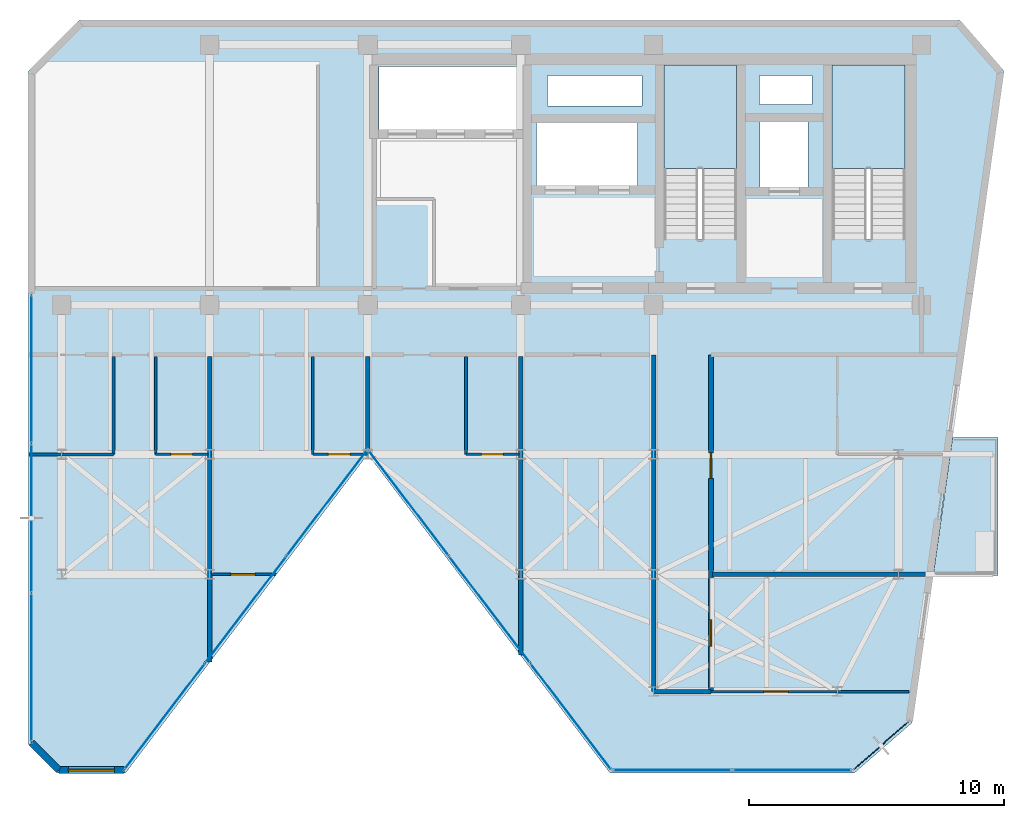
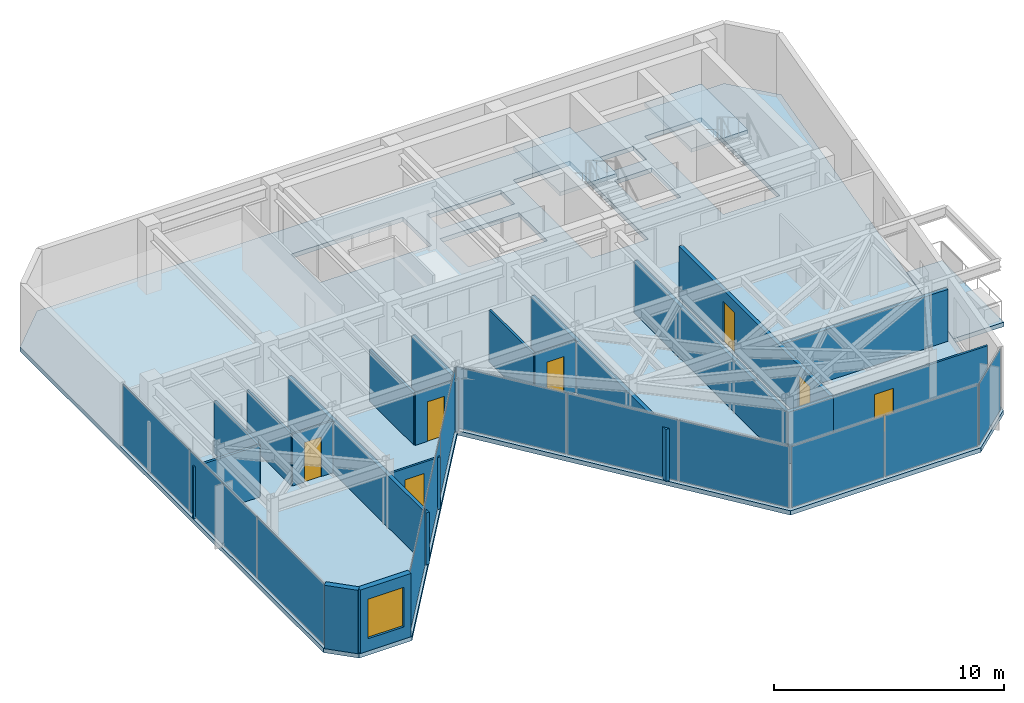
# One storey, part 13 of 17: 19 walls, 12 plates, 7 doors, 4 slabs, 1 window, 8 openings, 7 elements without a shape of their own.
"""IFC4 building model written with IfcOpenShell, lengths in metres."""

from ifc_helpers import new_model, si_unit, direction, frame, frame_2d, origin, origin_2d, place, context, subcontext, project, spatial, polyline, rectangle, outline, extrude, material, layer, layer_set, type_object, element, fill, aggregate, save


model = new_model("IFC4")

# Units and contexts
model_context = context("Model", 3, precision=1e-05, world=origin(), true_north=direction((0.0, 1.0)))
body_context = subcontext(model_context, "Body", "Model", "MODEL_VIEW")
ifc_project = project(units=[si_unit("LENGTHUNIT", "METRE"), si_unit("AREAUNIT", "SQUARE_METRE"), si_unit("VOLUMEUNIT", "CUBIC_METRE"), si_unit("PLANEANGLEUNIT", "RADIAN"), si_unit("MASSUNIT", "GRAM", prefix="KILO")], contexts=[model_context])

# Site, building, storey
site_placement = place(None, origin())
site = spatial("IfcSite", under=ifc_project, at=site_placement, CompositionType="ELEMENT")
building_placement = place(site_placement, origin())
building = spatial("IfcBuilding", under=site, at=building_placement, Name="Kravanh Interchange Tower", CompositionType="ELEMENT")
storey_placement = place(building_placement, frame((0.0, 0.0, 282.300048828125)))
storey = spatial("IfcBuildingStorey", under=building, at=storey_placement, Name="L69", CompositionType="ELEMENT", Elevation=282.300048828125)

# Curtain wall, plates
ifc_material_1 = material(Name="Anodised Bronze Aluminium", Category="aluminium")
ifc_layer_1 = layer(ifc_material_1, 0.179931640625)
ifc_layer_set_1 = layer_set([ifc_layer_1], Name="Unitised Curtain Wall System CW-HTL Luxury Hotel")
curtain_wall_type = type_object("IfcCurtainWallType", Name="Unitised Curtain Wall System CW-HTL Luxury Hotel", PredefinedType="NOTDEFINED", material=ifc_layer_set_1)
curtain_wall_1_placement = place(storey_placement, origin())
curtain_wall_1 = element("IfcCurtainWall", 1, at=curtain_wall_1_placement, inside=storey, type_object=curtain_wall_type, Name="L69 Unitised Curtain Wall CW-L69-01", PredefinedType="NOTDEFINED")
ifc_material_2 = material(Name="Low-E Laminated Architectural Glass", Category="glass")
ifc_layer_2 = layer(ifc_material_2, 0.030029296875)
ifc_layer_set_2 = layer_set([ifc_layer_2], Name="Acoustic Laminated Glazing 30mm")
plate_type = type_object("IfcPlateType", Name="Acoustic Laminated Glazing 30mm", PredefinedType="CURTAIN_PANEL", material=ifc_layer_set_2)
plate_1_placement = place(storey_placement, frame((31.6201171875, 23.1396484375, 0.059814453125), z_axis=(0.0, 0.0, 1.0), x_axis=(0.0, 1.0, 0.0)))
plate_1 = element("IfcPlate", 2, at=plate_1_placement, type_object=plate_type, Name="CW-HTL panel 1.1", PredefinedType="CURTAIN_PANEL", context=body_context, shape_type="SweptSolid", body=[
    extrude(rectangle(XDim=5.780029296875, YDim=0.030029296875, at=origin_2d()), origin(), (0.0, 0.0, 1.0), 3.2451171875),
])
plate_2_placement = place(storey_placement, frame((31.6201171875, 28.994873046875, 0.059814453125), z_axis=(0.0, 0.0, 1.0), x_axis=(0.0, 1.0, 0.0)))
plate_2 = element("IfcPlate", 3, at=plate_2_placement, type_object=plate_type, Name="CW-HTL panel 2.1", PredefinedType="CURTAIN_PANEL", context=body_context, shape_type="SweptSolid", body=[
    extrude(rectangle(XDim=5.81005859375, YDim=0.030029296875, at=origin_2d()), origin(), (0.0, 0.0, 1.0), 3.2451171875),
])
plate_3_placement = place(storey_placement, frame((31.6201171875, 34.849853515625, 0.059814453125), z_axis=(0.0, 0.0, 1.0), x_axis=(0.0, 1.0, 0.0)))
plate_3 = element("IfcPlate", 4, at=plate_3_placement, type_object=plate_type, Name="CW-HTL panel 3.1", PredefinedType="CURTAIN_PANEL", context=body_context, shape_type="SweptSolid", body=[
    extrude(rectangle(XDim=5.780029296875, YDim=0.030029296875, at=origin_2d()), origin(), (0.0, 0.0, 1.0), 3.2451171875),
])
aggregate(curtain_wall_1, [plate_1, plate_2, plate_3])

# Curtain wall, plate
curtain_wall_2_placement = place(storey_placement, origin())
curtain_wall_2 = element("IfcCurtainWall", 5, at=curtain_wall_2_placement, inside=storey, type_object=curtain_wall_type, Name="L69 Unitised Curtain Wall CW-L69-02", PredefinedType="NOTDEFINED")
plate_4_placement = place(storey_placement, frame((64.91455078125, 20.080810546875, 0.059814453125), z_axis=(0.0, 0.0, 1.0), x_axis=(-0.75473192521, -0.656033323139, 0.0)))
plate_4 = element("IfcPlate", 6, at=plate_4_placement, type_object=plate_type, Name="CW-HTL panel 1.1", PredefinedType="CURTAIN_PANEL", context=body_context, shape_type="SweptSolid", body=[
    extrude(rectangle(XDim=2.80908203125, YDim=0.030029296875, at=origin_2d()), origin(), (0.0, 0.0, 1.0), 3.2451171875),
])
aggregate(curtain_wall_2, [plate_4])

# Curtain wall, plates
curtain_wall_3_placement = place(storey_placement, origin())
curtain_wall_3 = element("IfcCurtainWall", 7, at=curtain_wall_3_placement, inside=storey, type_object=curtain_wall_type, Name="L69 Unitised Curtain Wall CW-L69-03", PredefinedType="NOTDEFINED")
plate_5_placement = place(storey_placement, frame((61.431640625, 19.1201171875, 0.059814453125), z_axis=(0.0, 0.0, 1.0), x_axis=(-1.0, 0.0, 0.0)))
plate_5 = element("IfcPlate", 8, at=plate_5_placement, type_object=plate_type, Name="CW-HTL panel 1.1", PredefinedType="CURTAIN_PANEL", context=body_context, shape_type="SweptSolid", body=[
    extrude(rectangle(XDim=4.634765625, YDim=0.030029296875, at=origin_2d()), origin(), (0.0, 0.0, 1.0), 3.2451171875),
])
plate_6_placement = place(storey_placement, frame((56.73681640625, 19.1201171875, 0.059814453125), z_axis=(0.0, 0.0, 1.0), x_axis=(-1.0, 0.0, 0.0)))
plate_6 = element("IfcPlate", 9, at=plate_6_placement, type_object=plate_type, Name="CW-HTL panel 2.1", PredefinedType="CURTAIN_PANEL", context=body_context, shape_type="SweptSolid", body=[
    extrude(rectangle(XDim=4.634765625, YDim=0.030029296875, at=origin_2d()), origin(), (0.0, 0.0, 1.0), 3.2451171875),
])
aggregate(curtain_wall_3, [plate_5, plate_6])

curtain_wall_4_placement = place(storey_placement, origin())
curtain_wall_4 = element("IfcCurtainWall", 10, at=curtain_wall_4_placement, inside=storey, type_object=curtain_wall_type, Name="L69 Unitised Curtain Wall CW-L69-04", PredefinedType="NOTDEFINED")
plate_7_placement = place(storey_placement, frame((52.757080078125, 21.228271484375, 0.059814453125), z_axis=(0.0, 0.0, 1.0), x_axis=(-0.605082946564, 0.79616243806, 0.0)))
plate_7 = element("IfcPlate", 11, at=plate_7_placement, type_object=plate_type, Name="CW-HTL panel 1.1", PredefinedType="CURTAIN_PANEL", context=body_context, shape_type="SweptSolid", body=[
    extrude(rectangle(XDim=5.17626953125, YDim=0.030029296875, at=origin_2d()), origin(), (0.0, 0.0, 1.0), 3.2451171875),
])
plate_8_placement = place(storey_placement, frame((49.579833984375, 25.4091796875, 0.059814453125), z_axis=(0.0, 0.0, 1.0), x_axis=(-0.605082946564, 0.79616243806, 0.0)))
plate_8 = element("IfcPlate", 12, at=plate_8_placement, type_object=plate_type, Name="CW-HTL panel 2.1", PredefinedType="CURTAIN_PANEL", context=body_context, shape_type="SweptSolid", body=[
    extrude(rectangle(XDim=5.206298828125, YDim=0.030029296875, at=origin_2d()), origin(), (0.0, 0.0, 1.0), 3.2451171875),
])
plate_9_placement = place(storey_placement, frame((46.40234375, 29.590087890625, 0.059814453125), z_axis=(0.0, 0.0, 1.0), x_axis=(-0.605082946564, 0.79616243806, 0.0)))
plate_9 = element("IfcPlate", 13, at=plate_9_placement, type_object=plate_type, Name="CW-HTL panel 3.1", PredefinedType="CURTAIN_PANEL", context=body_context, shape_type="SweptSolid", body=[
    extrude(rectangle(XDim=5.17626953125, YDim=0.030029296875, at=origin_2d()), origin(), (0.0, 0.0, 1.0), 3.2451171875),
])
aggregate(curtain_wall_4, [plate_7, plate_8, plate_9])

curtain_wall_5_placement = place(storey_placement, origin())
curtain_wall_5 = element("IfcCurtainWall", 14, at=curtain_wall_5_placement, inside=storey, type_object=curtain_wall_type, Name="L69 Unitised Curtain Wall CW-L69-05", PredefinedType="NOTDEFINED")
plate_10_placement = place(storey_placement, frame((43.19775390625, 29.590087890625, 0.059814453125), z_axis=(0.0, 0.0, 1.0), x_axis=(-0.605082946564, -0.79616243806, 0.0)))
plate_10 = element("IfcPlate", 15, at=plate_10_placement, type_object=plate_type, Name="CW-HTL panel 1.1", PredefinedType="CURTAIN_PANEL", context=body_context, shape_type="SweptSolid", body=[
    extrude(rectangle(XDim=5.17626953125, YDim=0.030029296875, at=origin_2d()), origin(), (0.0, 0.0, 1.0), 3.2451171875),
])
plate_11_placement = place(storey_placement, frame((40.020263671875, 25.4091796875, 0.059814453125), z_axis=(0.0, 0.0, 1.0), x_axis=(-0.605082946564, -0.79616243806, 0.0)))
plate_11 = element("IfcPlate", 16, at=plate_11_placement, type_object=plate_type, Name="CW-HTL panel 2.1", PredefinedType="CURTAIN_PANEL", context=body_context, shape_type="SweptSolid", body=[
    extrude(rectangle(XDim=5.206298828125, YDim=0.030029296875, at=origin_2d()), origin(), (0.0, 0.0, 1.0), 3.2451171875),
])
plate_12_placement = place(storey_placement, frame((36.8427734375, 21.228271484375, 0.059814453125), z_axis=(0.0, 0.0, 1.0), x_axis=(-0.605082946564, -0.79616243806, 0.0)))
plate_12 = element("IfcPlate", 17, at=plate_12_placement, type_object=plate_type, Name="CW-HTL panel 3.1", PredefinedType="CURTAIN_PANEL", context=body_context, shape_type="SweptSolid", body=[
    extrude(rectangle(XDim=5.17626953125, YDim=0.030029296875, at=origin_2d()), origin(), (0.0, 0.0, 1.0), 3.2451171875),
])
aggregate(curtain_wall_5, [plate_10, plate_11, plate_12])

# Slab
ifc_material_3 = material(Name="Concrete C50/60", Category="concrete")
ifc_layer_3 = layer(ifc_material_3, 0.235107421875)
ifc_layer_set_3 = layer_set([ifc_layer_3], Name="Composite Floor Slab Concrete C50/60 235mm")
slab_type_1 = type_object("IfcSlabType", Name="Composite Floor Slab Concrete C50/60 235mm", PredefinedType="FLOOR", material=ifc_layer_set_3)
slab_1_placement = place(storey_placement, frame((0.0, 0.0, -0.235107421875)))
element("IfcSlab", 18, at=slab_1_placement, inside=storey, type_object=slab_type_1, Name="L69 Structural Floor Slab", PredefinedType="FLOOR", context=body_context, shape_type="SweptSolid", body=[
    extrude(outline(polyline([(31.5, 20.139892578125), (32.639892578125, 19.0), (35.300048828125, 19.0), (44.800048828125, 31.5), (54.300048828125, 19.0), (63.85400390625, 19.0), (66.13232421875, 20.98046875), (69.7216796875, 46.51953125), (68.0, 48.5), (33.5, 48.5), (31.5, 46.5), (31.5, 20.139892578125)]), holes=[polyline([(65.85009765625, 39.925048828125), (65.85009765625, 46.75), (63.0, 46.75), (63.0, 39.925048828125), (65.85009765625, 39.925048828125)]), polyline([(59.25, 39.925048828125), (59.25, 46.75), (56.39990234375, 46.75), (56.39990234375, 39.925048828125), (59.25, 39.925048828125)]), polyline([(45.239990234375, 44.219970703125), (50.840087890625, 44.219970703125), (50.840087890625, 46.699951171875), (45.239990234375, 46.699951171875), (45.239990234375, 44.219970703125)]), polyline([(51.419921875, 42.02001953125), (55.3798828125, 42.02001953125), (55.3798828125, 44.47998046875), (51.419921875, 44.47998046875), (51.419921875, 42.02001953125)]), polyline([(60.179931640625, 41.97998046875), (62.06005859375, 41.97998046875), (62.06005859375, 44.52001953125), (60.179931640625, 44.52001953125), (60.179931640625, 41.97998046875)]), polyline([(60.14990234375, 45.199951171875), (62.199951171875, 45.199951171875), (62.199951171875, 46.35009765625), (60.14990234375, 46.35009765625), (60.14990234375, 45.199951171875)]), polyline([(51.85009765625, 45.14990234375), (55.550048828125, 45.14990234375), (55.550048828125, 46.35009765625), (51.85009765625, 46.35009765625), (51.85009765625, 45.14990234375)])]), origin(), (0.0, 0.0, 1.0), 0.235107421875),
])

# Stair, slab
ifc_material_4 = material(Name="Concrete C50/60", Category="concrete")
stair_type = type_object("IfcStairType", Name="Core Fire Exit Dogleg Stair Concrete C50/60", PredefinedType="HALF_TURN_STAIR", material=ifc_material_4)
stair_1_placement = place(storey_placement, origin())
stair_1 = element("IfcStair", 19, at=stair_1_placement, inside=storey, type_object=stair_type, Name="L69 Exit Stair ST1", PredefinedType="HALF_TURN_STAIR")
ifc_material_5 = material(Name="Concrete C50/60", Category="concrete")
ifc_layer_4 = layer(ifc_material_5, 0.199951171875)
ifc_layer_set_4 = layer_set([ifc_layer_4], Name="Concrete C50/60 Stair Half-Landing Slab 200mm")
slab_type_2 = type_object("IfcSlabType", Name="Concrete C50/60 Stair Half-Landing Slab 200mm", PredefinedType="LANDING", material=ifc_layer_set_4)
slab_2_placement = place(storey_placement, frame((0.0, 0.0, 1.599853515625)))
slab_2 = element("IfcSlab", 20, at=slab_2_placement, type_object=slab_type_2, Name="ST1 landing 1", PredefinedType="LANDING", context=body_context, shape_type="SweptSolid", body=[
    extrude(outline(polyline([(65.85009765625, 42.699951171875), (65.85009765625, 46.75), (63.0, 46.75), (63.0, 42.699951171875), (65.85009765625, 42.699951171875)])), origin(), (0.0, 0.0, 1.0), 0.2001953125),
])
aggregate(stair_1, [slab_2])

stair_2_placement = place(storey_placement, origin())
stair_2 = element("IfcStair", 21, at=stair_2_placement, inside=storey, type_object=stair_type, Name="L69 Exit Stair ST2", PredefinedType="HALF_TURN_STAIR")
slab_3_placement = place(storey_placement, frame((0.0, 0.0, 1.599853515625)))
slab_3 = element("IfcSlab", 22, at=slab_3_placement, type_object=slab_type_2, Name="ST2 landing 1", PredefinedType="LANDING", context=body_context, shape_type="SweptSolid", body=[
    extrude(outline(polyline([(59.25, 42.699951171875), (59.25, 46.75), (56.39990234375, 46.75), (56.39990234375, 42.699951171875), (59.25, 42.699951171875)])), origin(), (0.0, 0.0, 1.0), 0.2001953125),
])
aggregate(stair_2, [slab_3])

# Slab
ifc_material_6 = material(Name="Concrete C50/60", Category="concrete")
ifc_layer_5 = layer(ifc_material_6, 0.199951171875)
ifc_layer_set_5 = layer_set([ifc_layer_5], Name="Planted Tree Balcony Slab Concrete C50/60 200mm")
slab_type_3 = type_object("IfcSlabType", Name="Planted Tree Balcony Slab Concrete C50/60 200mm", PredefinedType="USERDEFINED", material=ifc_layer_set_5)
slab_4_placement = place(storey_placement, frame((0.0, 0.0, -0.235107421875)))
element("IfcSlab", 23, at=slab_4_placement, inside=storey, type_object=slab_type_3, Name="L69 East Tree Planter Balcony Slab", ObjectType="BALCONY", PredefinedType="USERDEFINED", context=body_context, shape_type="SweptSolid", body=[
    extrude(outline(polyline([(69.489990234375, 32.14990234375), (69.489990234375, 26.75), (66.95849609375, 26.75), (67.71728515625, 32.14990234375), (69.489990234375, 32.14990234375)])), origin(), (0.0, 0.0, 1.0), 0.235107421875),
])

# Walls
ifc_material_7 = material(Name="Double Acoustic Gypsum Board and Mineral Wool")
ifc_layer_6 = layer(ifc_material_7, 0.1201171875)
ifc_layer_set_6 = layer_set([ifc_layer_6], Name="Acoustic Office Drywall Partition 120mm")
wall_type_1 = type_object("IfcWallType", Name="Acoustic Office Drywall Partition 120mm", PredefinedType="PARTITIONING", material=ifc_layer_set_6)
wall_1_placement = place(storey_placement, frame((34.840087890625, 31.5, 0.0), z_axis=(0.0, 0.0, 1.0), x_axis=(0.0, 1.0, 0.0)))
element("IfcWall", 24, at=wall_1_placement, inside=storey, type_object=wall_type_1, Name="L69 Interior Partition 14", PredefinedType="PARTITIONING", context=body_context, shape_type="SweptSolid", body=[
    extrude(rectangle(XDim=3.83203125, YDim=0.1201171875, at=frame_2d((1.916015625, 0.0))), origin(), (0.0, 0.0, 1.0), 2.75390625),
])
wall_2_placement = place(storey_placement, frame((31.514892578125, 31.5, 0.0), z_axis=(0.0, 0.0, 1.0), x_axis=(1.0, 0.0, 0.0)))
element("IfcWall", 25, at=wall_2_placement, inside=storey, type_object=wall_type_1, Name="L69 Interior Partition 15", PredefinedType="PARTITIONING", context=body_context, shape_type="SweptSolid", body=[
    extrude(rectangle(XDim=3.3251953125, YDim=0.1201171875, at=frame_2d((1.66259765625, 0.0))), origin(), (0.0, 0.0, 1.0), 2.75390625),
])

# Wall, opening, door
ifc_material_8 = material(Name="Moisture-Resistant Gypsum Board and Mineral Wool")
ifc_layer_7 = layer(ifc_material_8, 0.10009765625)
ifc_layer_set_7 = layer_set([ifc_layer_7], Name="En-Suite Moisture-Resistant Partition 100mm")
wall_type_2 = type_object("IfcWallType", Name="En-Suite Moisture-Resistant Partition 100mm", PredefinedType="PARTITIONING", material=ifc_layer_set_7)
wall_3_placement = place(storey_placement, frame((58.25, 22.199951171875, 0.0), z_axis=(0.0, 0.0, 1.0), x_axis=(1.0, 0.0, 0.0)))
wall_3 = element("IfcWall", 26, at=wall_3_placement, inside=storey, type_object=wall_type_2, Name="L69 Interior Partition 17", PredefinedType="PARTITIONING", context=body_context, shape_type="SweptSolid", body=[
    extrude(rectangle(XDim=7.76611328125, YDim=0.10009765625, at=frame_2d((3.883056640625, 0.0))), origin(), (0.0, 0.0, 1.0), 2.75390625),
])
opening_1_placement = place(wall_3_placement, frame((2.074951171875, 0.0, 0.0)))
opening_1 = element("IfcOpeningElement", 27, at=opening_1_placement, cuts=wall_3, Name="Opening D-95", PredefinedType="OPENING", context=body_context, shape_type="SweptSolid", body=[
    extrude(rectangle(XDim=0.949951171875, YDim=2.14990234375, at=frame_2d((0.47509765625, 1.074951171875))), frame((0.0, 0.06005859375, 0.0), z_axis=(0.0, -1.0, 0.0), x_axis=(1.0, 0.0, 0.0)), (0.0, 0.0, 1.0), 0.1201171875),
])
ifc_material_9 = material(Name="Laminate Solid-Core Timber", Category="wood")
door_type_1 = type_object("IfcDoorType", Name="Accessible Restroom Door 950x2150", OperationType="NOTDEFINED", PredefinedType="DOOR", material=ifc_material_9)
door_1_placement = place(opening_1_placement, origin())
door_1 = element("IfcDoor", 28, at=door_1_placement, inside=storey, type_object=door_type_1, Name="L69 SE Sunroom Inner Door", OperationType="SINGLE_SWING_LEFT", OverallHeight=2.14990234375, OverallWidth=0.949951171875, PredefinedType="DOOR", context=body_context, shape_type="SweptSolid", body=[
    extrude(rectangle(XDim=0.949951171875, YDim=2.14990234375, at=frame_2d((0.47509765625, 1.074951171875))), frame((0.0, 0.02490234375, 0.0), z_axis=(0.0, -1.0, 0.0), x_axis=(1.0, 0.0, 0.0)), (0.0, 0.0, 1.0), 0.050048828125),
])
fill(opening_1, door_1)

# Wall
wall_4_placement = place(storey_placement, frame((36.489990234375, 31.5, 0.0), z_axis=(0.0, 0.0, 1.0), x_axis=(0.0, 1.0, 0.0)))
element("IfcWall", 29, at=wall_4_placement, inside=storey, type_object=wall_type_2, Name="L69 Interior Partition 20", PredefinedType="PARTITIONING", context=body_context, shape_type="SweptSolid", body=[
    extrude(rectangle(XDim=3.83203125, YDim=0.10009765625, at=frame_2d((1.916015625, 0.0))), origin(), (0.0, 0.0, 1.0), 2.75390625),
])

# Wall, opening, door
wall_5_placement = place(storey_placement, frame((36.489990234375, 31.5, 0.0), z_axis=(0.0, 0.0, 1.0), x_axis=(1.0, 0.0, 0.0)))
wall_5 = element("IfcWall", 30, at=wall_5_placement, inside=storey, type_object=wall_type_2, Name="L69 Interior Partition 21", PredefinedType="PARTITIONING", context=body_context, shape_type="SweptSolid", body=[
    extrude(rectangle(XDim=2.0419921875, YDim=0.10009765625, at=frame_2d((1.02099609375, 0.0))), origin(), (0.0, 0.0, 1.0), 2.75390625),
])
opening_2_placement = place(wall_5_placement, frame((0.589111328125, 0.0, 0.0)))
opening_2 = element("IfcOpeningElement", 31, at=opening_2_placement, cuts=wall_5, Name="Opening D-85", PredefinedType="OPENING", context=body_context, shape_type="SweptSolid", body=[
    extrude(rectangle(XDim=0.85009765625, YDim=2.10009765625, at=frame_2d((0.425048828125, 1.050048828125))), frame((0.0, 0.06005859375, 0.0), z_axis=(0.0, -1.0, 0.0), x_axis=(1.0, 0.0, 0.0)), (0.0, 0.0, 1.0), 0.1201171875),
])
ifc_material_10 = material(Name="Engineered Teak Veneer Timber", Category="wood")
door_type_2 = type_object("IfcDoorType", Name="En-Suite Timber Door 850x2100", OperationType="NOTDEFINED", PredefinedType="DOOR", material=ifc_material_10)
door_2_placement = place(opening_2_placement, origin())
door_2 = element("IfcDoor", 32, at=door_2_placement, inside=storey, type_object=door_type_2, Name="L69 En-suite Bathroom Door", OperationType="SINGLE_SWING_LEFT", OverallHeight=2.10009765625, OverallWidth=0.85009765625, PredefinedType="DOOR", context=body_context, shape_type="SweptSolid", body=[
    extrude(rectangle(XDim=0.85009765625, YDim=2.10009765625, at=frame_2d((0.425048828125, 1.050048828125))), frame((0.0, 0.02490234375, 0.0), z_axis=(0.0, -1.0, 0.0), x_axis=(1.0, 0.0, 0.0)), (0.0, 0.0, 1.0), 0.050048828125),
])
fill(opening_2, door_2)

wall_6_placement = place(storey_placement, frame((38.66796875, 26.800048828125, 0.0), z_axis=(0.0, 0.0, 1.0), x_axis=(1.0, 0.0, 0.0)))
wall_6 = element("IfcWall", 33, at=wall_6_placement, inside=storey, type_object=wall_type_2, Name="L69 Interior Partition 23", PredefinedType="PARTITIONING", context=body_context, shape_type="SweptSolid", body=[
    extrude(rectangle(XDim=2.541259765625, YDim=0.10009765625, at=frame_2d((1.2705078125, 0.0))), origin(), (0.0, 0.0, 1.0), 2.75390625),
])
opening_3_placement = place(wall_6_placement, frame((0.76171875, 0.0, 0.0)))
opening_3 = element("IfcOpeningElement", 34, at=opening_3_placement, cuts=wall_6, Name="Opening D-95", PredefinedType="OPENING", context=body_context, shape_type="SweptSolid", body=[
    extrude(rectangle(XDim=0.949951171875, YDim=2.14990234375, at=frame_2d((0.47509765625, 1.074951171875))), frame((0.0, 0.06005859375, 0.0), z_axis=(0.0, -1.0, 0.0), x_axis=(1.0, 0.0, 0.0)), (0.0, 0.0, 1.0), 0.1201171875),
])
door_3_placement = place(opening_3_placement, origin())
door_3 = element("IfcDoor", 35, at=door_3_placement, inside=storey, type_object=door_type_1, Name="L69 Sunroom Alcove Inner Door", OperationType="SINGLE_SWING_RIGHT", OverallHeight=2.14990234375, OverallWidth=0.949951171875, PredefinedType="DOOR", context=body_context, shape_type="SweptSolid", body=[
    extrude(rectangle(XDim=0.949951171875, YDim=2.14990234375, at=frame_2d((0.47509765625, 1.074951171875))), frame((0.0, 0.02490234375, 0.0), z_axis=(0.0, -1.0, 0.0), x_axis=(1.0, 0.0, 0.0)), (0.0, 0.0, 1.0), 0.050048828125),
])
fill(opening_3, door_3)

# Wall
wall_7_placement = place(storey_placement, frame((42.64990234375, 31.5, 0.0), z_axis=(0.0, 0.0, 1.0), x_axis=(0.0, 1.0, 0.0)))
element("IfcWall", 36, at=wall_7_placement, inside=storey, type_object=wall_type_2, Name="L69 Interior Partition 24", PredefinedType="PARTITIONING", context=body_context, shape_type="SweptSolid", body=[
    extrude(rectangle(XDim=3.83203125, YDim=0.10009765625, at=frame_2d((1.916015625, 0.0))), origin(), (0.0, 0.0, 1.0), 2.75390625),
])

# Wall, opening, door
wall_8_placement = place(storey_placement, frame((42.64990234375, 31.5, 0.0), z_axis=(0.0, 0.0, 1.0), x_axis=(1.0, 0.0, 0.0)))
wall_8 = element("IfcWall", 37, at=wall_8_placement, inside=storey, type_object=wall_type_2, Name="L69 Interior Partition 25", PredefinedType="PARTITIONING", context=body_context, shape_type="SweptSolid", body=[
    extrude(rectangle(XDim=2.13134765625, YDim=0.10009765625, at=frame_2d((1.065673828125, 0.0))), origin(), (0.0, 0.0, 1.0), 2.75390625),
])
opening_4_placement = place(wall_8_placement, frame((0.607421875, 0.0, 0.0)))
opening_4 = element("IfcOpeningElement", 38, at=opening_4_placement, cuts=wall_8, Name="Opening D-85", PredefinedType="OPENING", context=body_context, shape_type="SweptSolid", body=[
    extrude(rectangle(XDim=0.85009765625, YDim=2.10009765625, at=frame_2d((0.425048828125, 1.050048828125))), frame((0.0, 0.06005859375, 0.0), z_axis=(0.0, -1.0, 0.0), x_axis=(1.0, 0.0, 0.0)), (0.0, 0.0, 1.0), 0.1201171875),
])
door_4_placement = place(opening_4_placement, origin())
door_4 = element("IfcDoor", 39, at=door_4_placement, inside=storey, type_object=door_type_2, Name="L69 En-suite Bathroom Door", OperationType="SINGLE_SWING_RIGHT", OverallHeight=2.10009765625, OverallWidth=0.85009765625, PredefinedType="DOOR", context=body_context, shape_type="SweptSolid", body=[
    extrude(rectangle(XDim=0.85009765625, YDim=2.10009765625, at=frame_2d((0.425048828125, 1.050048828125))), frame((0.0, 0.02490234375, 0.0), z_axis=(0.0, -1.0, 0.0), x_axis=(1.0, 0.0, 0.0)), (0.0, 0.0, 1.0), 0.050048828125),
])
fill(opening_4, door_4)

# Wall
wall_9_placement = place(storey_placement, frame((48.64990234375, 31.5, 0.0), z_axis=(0.0, 0.0, 1.0), x_axis=(0.0, 1.0, 0.0)))
element("IfcWall", 40, at=wall_9_placement, inside=storey, type_object=wall_type_2, Name="L69 Interior Partition 27", PredefinedType="PARTITIONING", context=body_context, shape_type="SweptSolid", body=[
    extrude(rectangle(XDim=3.83203125, YDim=0.10009765625, at=frame_2d((1.916015625, 0.0))), origin(), (0.0, 0.0, 1.0), 2.75390625),
])

# Wall, opening, door
wall_10_placement = place(storey_placement, frame((48.64990234375, 31.5, 0.0), z_axis=(0.0, 0.0, 1.0), x_axis=(1.0, 0.0, 0.0)))
wall_10 = element("IfcWall", 41, at=wall_10_placement, inside=storey, type_object=wall_type_2, Name="L69 Interior Partition 28", PredefinedType="PARTITIONING", context=body_context, shape_type="SweptSolid", body=[
    extrude(rectangle(XDim=2.08203125, YDim=0.10009765625, at=frame_2d((1.041015625, 0.0))), origin(), (0.0, 0.0, 1.0), 2.75390625),
])
opening_5_placement = place(wall_10_placement, frame((0.607421875, 0.0, 0.0)))
opening_5 = element("IfcOpeningElement", 42, at=opening_5_placement, cuts=wall_10, Name="Opening D-85", PredefinedType="OPENING", context=body_context, shape_type="SweptSolid", body=[
    extrude(rectangle(XDim=0.85009765625, YDim=2.10009765625, at=frame_2d((0.425048828125, 1.050048828125))), frame((0.0, 0.06005859375, 0.0), z_axis=(0.0, -1.0, 0.0), x_axis=(1.0, 0.0, 0.0)), (0.0, 0.0, 1.0), 0.1201171875),
])
door_5_placement = place(opening_5_placement, origin())
door_5 = element("IfcDoor", 43, at=door_5_placement, inside=storey, type_object=door_type_2, Name="L69 En-suite Bathroom Door", OperationType="SINGLE_SWING_RIGHT", OverallHeight=2.10009765625, OverallWidth=0.85009765625, PredefinedType="DOOR", context=body_context, shape_type="SweptSolid", body=[
    extrude(rectangle(XDim=0.85009765625, YDim=2.10009765625, at=frame_2d((0.425048828125, 1.050048828125))), frame((0.0, 0.02490234375, 0.0), z_axis=(0.0, -1.0, 0.0), x_axis=(1.0, 0.0, 0.0)), (0.0, 0.0, 1.0), 0.050048828125),
])
fill(opening_5, door_5)

# Wall, opening, window
ifc_material_11 = material(Name="Insulated Precast Concrete C40/50 with Bronze Cladding", Category="concrete")
ifc_layer_8 = layer(ifc_material_11, 0.280029296875)
ifc_layer_set_8 = layer_set([ifc_layer_8], Name="Exterior Insulated Concrete C40/50 Bronze Spandrel Wall 280mm")
wall_type_3 = type_object("IfcWallType", Name="Exterior Insulated Concrete C40/50 Bronze Spandrel Wall 280mm", PredefinedType="STANDARD", material=ifc_layer_set_8)
wall_11_placement = place(storey_placement, frame((35.240478515625, 19.1201171875, 0.0), z_axis=(0.0, 0.0, 1.0), x_axis=(-1.0, 0.0, 0.0)))
wall_11 = element("IfcWall", 44, at=wall_11_placement, inside=storey, type_object=wall_type_3, Name="L69 Exterior Wall 7", PredefinedType="STANDARD", context=body_context, shape_type="SweptSolid", body=[
    extrude(rectangle(XDim=2.55078125, YDim=0.280029296875, at=frame_2d((1.275390625, 0.0))), origin(), (0.0, 0.0, 1.0), 3.364990234375),
])
opening_6_placement = place(wall_11_placement, frame((0.369873046875, 0.0, 0.64990234375)))
opening_6 = element("IfcOpeningElement", 45, at=opening_6_placement, cuts=wall_11, Name="Opening WN-180X210", PredefinedType="OPENING", context=body_context, shape_type="SweptSolid", body=[
    extrude(rectangle(XDim=1.800048828125, YDim=2.10009765625, at=frame_2d((0.89990234375, 1.050048828125))), frame((0.0, 0.14990234375, 0.0), z_axis=(0.0, -1.0, 0.0), x_axis=(1.0, 0.0, 0.0)), (0.0, 0.0, 1.0), 0.300048828125),
])
ifc_material_12 = material(Name="Thermally Broken Bronze Aluminium and Low-E Glass", Category="aluminium")
window_type = type_object("IfcWindowType", Name="Tower Pier Window 1800x2100", PartitioningType="SINGLE_PANEL", PredefinedType="WINDOW", material=ifc_material_12)
window_placement = place(opening_6_placement, origin())
window = element("IfcWindow", 46, at=window_placement, inside=storey, type_object=window_type, Name="L69 Corner Window 7", OverallHeight=2.10009765625, OverallWidth=1.800048828125, PartitioningType="SINGLE_PANEL", PredefinedType="WINDOW", context=body_context, shape_type="SweptSolid", body=[
    extrude(rectangle(XDim=1.800048828125, YDim=2.10009765625, at=frame_2d((0.89990234375, 1.050048828125))), frame((0.0, 0.030029296875, 0.0), z_axis=(0.0, -1.0, 0.0), x_axis=(1.0, 0.0, 0.0)), (0.0, 0.0, 1.0), 0.06005859375),
])
fill(opening_6, window)

# Walls
wall_12_placement = place(storey_placement, frame((32.689697265625, 19.1201171875, 0.0), z_axis=(0.0, 0.0, 1.0), x_axis=(-0.707106781187, 0.707106781187, 0.0)))
element("IfcWall", 47, at=wall_12_placement, inside=storey, type_object=wall_type_3, Name="L69 Exterior Wall 8", PredefinedType="STANDARD", context=body_context, shape_type="SweptSolid", body=[
    extrude(rectangle(XDim=1.5126953125, YDim=0.280029296875, at=frame_2d((0.75634765625, 0.0))), origin(), (0.0, 0.0, 1.0), 3.364990234375),
])
ifc_material_13 = material(Name="Autoclaved Aerated Concrete C30/37 Blockwork", Category="masonry")
ifc_layer_9 = layer(ifc_material_13, 0.179931640625)
ifc_layer_set_9 = layer_set([ifc_layer_9], Name="Fire-Rated Lobby and Corridor Wall Concrete C30/37 180mm")
wall_type_4 = type_object("IfcWallType", Name="Fire-Rated Lobby and Corridor Wall Concrete C30/37 180mm", PredefinedType="STANDARD", material=ifc_layer_set_9)
wall_13_placement = place(storey_placement, frame((56.0, 22.199951171875, 0.0), z_axis=(0.0, 0.0, 1.0), x_axis=(0.0, 1.0, 0.0)))
element("IfcWall", 48, at=wall_13_placement, inside=storey, type_object=wall_type_4, Name="L69 Interior Partition 11", PredefinedType="STANDARD", context=body_context, shape_type="SweptSolid", body=[
    extrude(rectangle(XDim=13.199951171875, YDim=0.179931640625, at=frame_2d((6.60009765625, 0.0))), origin(), (0.0, 0.0, 1.0), 2.75390625),
])

# Wall, openings, doors
wall_14_placement = place(storey_placement, frame((58.25, 22.199951171875, 0.0), z_axis=(0.0, 0.0, 1.0), x_axis=(0.0, 1.0, 0.0)))
wall_14 = element("IfcWall", 49, at=wall_14_placement, inside=storey, type_object=wall_type_4, Name="L69 Interior Partition 12", PredefinedType="STANDARD", context=body_context, shape_type="SweptSolid", body=[
    extrude(rectangle(XDim=13.199951171875, YDim=0.179931640625, at=frame_2d((6.60009765625, 0.0))), origin(), (0.0, 0.0, 1.0), 2.75390625),
])
opening_7_placement = place(wall_14_placement, frame((1.77490234375, 0.0, 0.0)))
opening_7 = element("IfcOpeningElement", 50, at=opening_7_placement, cuts=wall_14, Name="Opening D-105", PredefinedType="OPENING", context=body_context, shape_type="SweptSolid", body=[
    extrude(rectangle(XDim=1.050048828125, YDim=2.199951171875, at=frame_2d((0.52490234375, 1.10009765625))), frame((0.0, 0.10009765625, 0.0), z_axis=(0.0, -1.0, 0.0), x_axis=(1.0, 0.0, 0.0)), (0.0, 0.0, 1.0), 0.199951171875),
])
opening_8_placement = place(wall_14_placement, frame((8.35986328125, 0.0, 0.0)))
opening_8 = element("IfcOpeningElement", 51, at=opening_8_placement, cuts=wall_14, Name="Opening D-HOTEL-100", PredefinedType="OPENING", context=body_context, shape_type="SweptSolid", body=[
    extrude(rectangle(XDim=1.0, YDim=2.14990234375, at=frame_2d((0.5, 1.074951171875))), frame((0.0, 0.10009765625, 0.0), z_axis=(0.0, -1.0, 0.0), x_axis=(1.0, 0.0, 0.0)), (0.0, 0.0, 1.0), 0.199951171875),
])
ifc_material_14 = material(Name="Fire-Rated Solid Timber Leaf", Category="wood")
door_type_3 = type_object("IfcDoorType", Name="Fire-Rated Suite Entrance Door 1000x2150", OperationType="NOTDEFINED", PredefinedType="DOOR", material=ifc_material_14)
door_6_placement = place(opening_8_placement, origin())
door_6 = element("IfcDoor", 52, at=door_6_placement, inside=storey, type_object=door_type_3, Name="L69 Hotel Guest Room East Entrance Door", OperationType="SINGLE_SWING_RIGHT", OverallHeight=2.14990234375, OverallWidth=1.0, PredefinedType="DOOR", context=body_context, shape_type="SweptSolid", body=[
    extrude(rectangle(XDim=1.0, YDim=2.14990234375, at=frame_2d((0.5, 1.074951171875))), frame((0.0, 0.02490234375, 0.0), z_axis=(0.0, -1.0, 0.0), x_axis=(1.0, 0.0, 0.0)), (0.0, 0.0, 1.0), 0.050048828125),
])
fill(opening_8, door_6)
ifc_material_15 = material(Name="Acoustic Glazed Oak and Aluminium", Category="aluminium")
door_type_4 = type_object("IfcDoorType", Name="Office Workplace Door 1050x2200", OperationType="NOTDEFINED", PredefinedType="DOOR", material=ifc_material_15)
door_7_placement = place(opening_7_placement, origin())
door_7 = element("IfcDoor", 53, at=door_7_placement, inside=storey, type_object=door_type_4, Name="L69 East Sky Salon Lounge Door", OperationType="SINGLE_SWING_RIGHT", OverallHeight=2.199951171875, OverallWidth=1.050048828125, PredefinedType="DOOR", context=body_context, shape_type="SweptSolid", body=[
    extrude(rectangle(XDim=1.050048828125, YDim=2.199951171875, at=frame_2d((0.52490234375, 1.10009765625))), frame((0.0, 0.02490234375, 0.0), z_axis=(0.0, -1.0, 0.0), x_axis=(1.0, 0.0, 0.0)), (0.0, 0.0, 1.0), 0.050048828125),
])
fill(opening_7, door_7)

# Walls
wall_15_placement = place(storey_placement, frame((56.0, 22.199951171875, 0.0), z_axis=(0.0, 0.0, 1.0), x_axis=(1.0, 0.0, 0.0)))
element("IfcWall", 54, at=wall_15_placement, inside=storey, type_object=wall_type_4, Name="L69 Interior Partition 13", PredefinedType="STANDARD", context=body_context, shape_type="SweptSolid", body=[
    extrude(rectangle(XDim=2.25, YDim=0.179931640625, at=frame_2d((1.125, 0.0))), origin(), (0.0, 0.0, 1.0), 2.75390625),
])
wall_16_placement = place(storey_placement, frame((58.318115234375, 26.800048828125, 0.0), z_axis=(0.0, 0.0, 1.0), x_axis=(1.0, 0.0, 0.0)))
element("IfcWall", 55, at=wall_16_placement, inside=storey, type_object=wall_type_4, Name="L69 Interior Partition 16", PredefinedType="STANDARD", context=body_context, shape_type="SweptSolid", body=[
    extrude(rectangle(XDim=8.344482421875, YDim=0.179931640625, at=frame_2d((4.17236328125, 0.0))), origin(), (0.0, 0.0, 1.0), 2.75390625),
])
wall_17_placement = place(storey_placement, frame((38.60009765625, 23.366943359375, 0.0), z_axis=(0.0, 0.0, 1.0), x_axis=(0.0, 1.0, 0.0)))
element("IfcWall", 56, at=wall_17_placement, inside=storey, type_object=wall_type_4, Name="L69 Interior Partition 22", PredefinedType="STANDARD", context=body_context, shape_type="SweptSolid", body=[
    extrude(rectangle(XDim=11.965087890625, YDim=0.179931640625, at=frame_2d((5.982421875, 0.0))), origin(), (0.0, 0.0, 1.0), 2.75390625),
])
wall_18_placement = place(storey_placement, frame((44.800048828125, 31.52490234375, 0.0), z_axis=(0.0, 0.0, 1.0), x_axis=(0.0, 1.0, 0.0)))
element("IfcWall", 57, at=wall_18_placement, inside=storey, type_object=wall_type_4, Name="L69 Interior Partition 26", PredefinedType="STANDARD", context=body_context, shape_type="SweptSolid", body=[
    extrude(rectangle(XDim=3.80712890625, YDim=0.179931640625, at=frame_2d((1.903564453125, 0.0))), origin(), (0.0, 0.0, 1.0), 2.75390625),
])
wall_19_placement = place(storey_placement, frame((50.800048828125, 23.630126953125, 0.0), z_axis=(0.0, 0.0, 1.0), x_axis=(0.0, 1.0, 0.0)))
element("IfcWall", 58, at=wall_19_placement, inside=storey, type_object=wall_type_4, Name="L69 Interior Partition 29", PredefinedType="STANDARD", context=body_context, shape_type="SweptSolid", body=[
    extrude(rectangle(XDim=11.701904296875, YDim=0.179931640625, at=frame_2d((5.85107421875, 0.0))), origin(), (0.0, 0.0, 1.0), 2.75390625),
])

save(model, "model.ifc")
